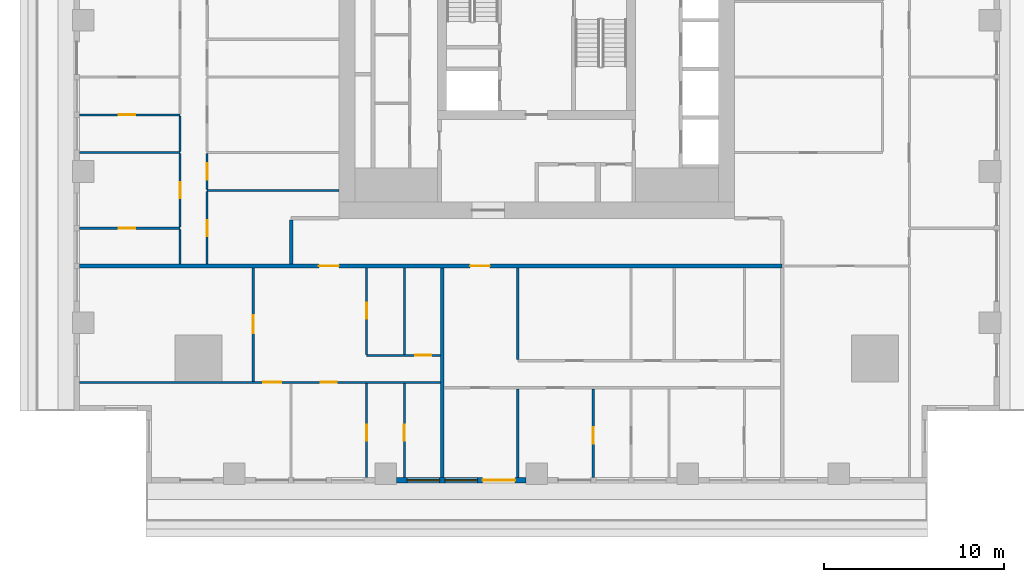
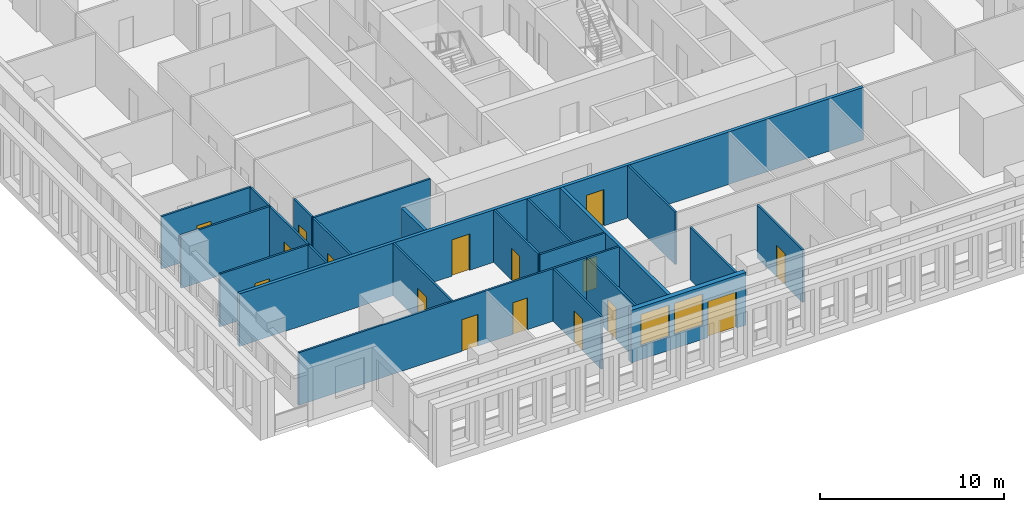
# One storey, part 2 of 15: 23 walls, 16 doors, 2 windows, 18 openings.
"""IFC4 building model written with IfcOpenShell, lengths in metres."""

from ifc_helpers import new_model, si_unit, direction, frame, frame_2d, origin, place, context, subcontext, project, spatial, rectangle, extrude, material, layer, layer_set, type_object, element, fill, save


model = new_model("IFC4")

# Units and contexts
model_context = context("Model", 3, precision=1e-05, world=origin(), true_north=direction((0.0, 1.0)))
body_context = subcontext(model_context, "Body", "Model", "MODEL_VIEW")
ifc_project = project(units=[si_unit("LENGTHUNIT", "METRE"), si_unit("AREAUNIT", "SQUARE_METRE"), si_unit("VOLUMEUNIT", "CUBIC_METRE"), si_unit("PLANEANGLEUNIT", "RADIAN"), si_unit("MASSUNIT", "GRAM", prefix="KILO")], contexts=[model_context])

# Site, building, storey
site_placement = place(None, origin())
site = spatial("IfcSite", under=ifc_project, at=site_placement, CompositionType="ELEMENT")
building_placement = place(site_placement, origin())
building = spatial("IfcBuilding", under=site, at=building_placement, Name="Khepri Terraces", CompositionType="ELEMENT")
storey_placement = place(building_placement, frame((0.0, 0.0, 165.0)))
storey = spatial("IfcBuildingStorey", under=building, at=storey_placement, Name="L39", CompositionType="ELEMENT", Elevation=165.0)

# Wall
ifc_material_1 = material(Name="Fire-rated gypsum plasterboard partition, mineral wool")
ifc_layer_1 = layer(ifc_material_1, 0.199951171875, Name="Fire-rated gypsum plasterboard partition, mineral wool")
ifc_layer_set_1 = layer_set([ifc_layer_1], Name="Fire-rated gypsum plasterboard partition, mineral wool")
wall_type_1 = type_object("IfcWallType", Name="WL-CORR-200", PredefinedType="PARTITIONING", material=ifc_layer_set_1)
wall_1_placement = place(storey_placement, frame((-5.25, -25.419921875, 0.0), z_axis=(0.0, 0.0, 1.0), x_axis=(0.0, 1.0, 0.0)))
element("IfcWall", 1, at=wall_1_placement, inside=storey, type_object=wall_type_1, Name="Partition P-004 L39", PredefinedType="PARTITIONING", context=body_context, shape_type="SweptSolid", body=[
    extrude(rectangle(XDim=11.669921875, YDim=0.199951171875, at=frame_2d((5.8349609375, 0.0))), origin(), (0.0, 0.0, 1.0), 3.47998046875),
])

# Wall, openings, doors
wall_2_placement = place(storey_placement, frame((-25.419921875, -13.64990234375, 0.0), z_axis=(0.0, 0.0, 1.0), x_axis=(1.0, 0.0, 0.0)))
wall_2 = element("IfcWall", 2, at=wall_2_placement, inside=storey, type_object=wall_type_1, Name="Partition P-023 L39", PredefinedType="PARTITIONING", context=body_context, shape_type="SweptSolid", body=[
    extrude(rectangle(XDim=39.06982421875, YDim=0.199951171875, at=frame_2d((19.534912109375, 0.0))), origin(), (0.0, 0.0, 1.0), 3.47998046875),
])
opening_1_placement = place(wall_2_placement, frame((13.320068359375, 0.0, 0.0)))
opening_1 = element("IfcOpeningElement", 3, at=opening_1_placement, cuts=wall_2, Name="Opening D1", PredefinedType="OPENING", context=body_context, shape_type="SweptSolid", body=[
    extrude(rectangle(XDim=1.10009765625, YDim=2.39990234375, at=frame_2d((0.550048828125, 1.199951171875))), frame((0.0, 0.10986328125, 0.0), z_axis=(0.0, -1.0, 0.0), x_axis=(1.0, 0.0, 0.0)), (0.0, 0.0, 1.0), 0.219970703125),
])
opening_2_placement = place(wall_2_placement, frame((21.719970703125, 0.0, 0.0)))
opening_2 = element("IfcOpeningElement", 4, at=opening_2_placement, cuts=wall_2, Name="Opening D1", PredefinedType="OPENING", context=body_context, shape_type="SweptSolid", body=[
    extrude(rectangle(XDim=1.10009765625, YDim=2.39990234375, at=frame_2d((0.550048828125, 1.199951171875))), frame((0.0, 0.10986328125, 0.0), z_axis=(0.0, -1.0, 0.0), x_axis=(1.0, 0.0, 0.0)), (0.0, 0.0, 1.0), 0.219970703125),
])
ifc_material_2 = material(Name="Solid-core timber door leaf, flat entrance door", Category="wood")
door_type_1 = type_object("IfcDoorType", Name="DR-ENT-1100", OperationType="NOTDEFINED", PredefinedType="DOOR", material=ifc_material_2)
door_1_placement = place(opening_1_placement, frame((1.10009765625, 0.0, 0.0), z_axis=(0.0, 0.0, 1.0), x_axis=(-1.0, 0.0, 0.0)))
door_1 = element("IfcDoor", 5, at=door_1_placement, inside=storey, type_object=door_type_1, Name="Flat A1 entrance door", OperationType="SINGLE_SWING_RIGHT", OverallHeight=2.39990234375, OverallWidth=1.10009765625, PredefinedType="DOOR", context=body_context, shape_type="SweptSolid", body=[
    extrude(rectangle(XDim=1.10009765625, YDim=2.39990234375, at=frame_2d((0.550048828125, 1.199951171875))), frame((0.0, 0.02490234375, 0.0), z_axis=(0.0, -1.0, 0.0), x_axis=(1.0, 0.0, 0.0)), (0.0, 0.0, 1.0), 0.050048828125),
])
fill(opening_1, door_1)
door_2_placement = place(opening_2_placement, frame((1.10009765625, 0.0, 0.0), z_axis=(0.0, 0.0, 1.0), x_axis=(-1.0, 0.0, 0.0)))
door_2 = element("IfcDoor", 6, at=door_2_placement, inside=storey, type_object=door_type_1, Name="Flat A2 entrance door", OperationType="SINGLE_SWING_LEFT", OverallHeight=2.39990234375, OverallWidth=1.10009765625, PredefinedType="DOOR", context=body_context, shape_type="SweptSolid", body=[
    extrude(rectangle(XDim=1.10009765625, YDim=2.39990234375, at=frame_2d((0.550048828125, 1.199951171875))), frame((0.0, 0.02490234375, 0.0), z_axis=(0.0, -1.0, 0.0), x_axis=(1.0, 0.0, 0.0)), (0.0, 0.0, 1.0), 0.050048828125),
])
fill(opening_2, door_2)

# Wall
wall_3_placement = place(storey_placement, frame((-13.64990234375, -13.550048828125, 0.0), z_axis=(0.0, 0.0, 1.0), x_axis=(0.0, 1.0, 0.0)))
element("IfcWall", 7, at=wall_3_placement, inside=storey, type_object=wall_type_1, Name="Partition P-028 L39", PredefinedType="PARTITIONING", context=body_context, shape_type="SweptSolid", body=[
    extrude(rectangle(XDim=2.449951171875, YDim=0.199951171875, at=frame_2d((1.22509765625, 0.0))), origin(), (0.0, 0.0, 1.0), 3.47998046875),
])

# Wall, openings, door, windows
ifc_material_3 = material(Name="Precast concrete C50/60 warm stone", Category="masonry")
ifc_layer_2 = layer(ifc_material_3, 0.300048828125, Name="Precast concrete C50/60 warm stone", Category="masonry")
ifc_layer_set_2 = layer_set([ifc_layer_2], Name="Precast concrete C50/60 warm stone")
wall_type_2 = type_object("IfcWallType", Name="WL-EXT-PRECAST-300", PredefinedType="STANDARD", material=ifc_layer_set_2)
wall_4_placement = place(storey_placement, frame((-7.800048828125, -25.570068359375, 0.0), z_axis=(0.0, 0.0, 1.0), x_axis=(1.0, 0.0, 0.0)))
wall_4 = element("IfcWall", 8, at=wall_4_placement, inside=storey, type_object=wall_type_2, Name="External wall L39 S", PredefinedType="STANDARD", context=body_context, shape_type="SweptSolid", body=[
    extrude(rectangle(XDim=7.199951171875, YDim=0.300048828125, at=frame_2d((3.60009765625, 0.0))), origin(), (0.0, 0.0, 1.0), 3.47998046875),
])
opening_3_placement = place(wall_4_placement, frame((0.60009765625, 0.0, 0.89990234375)))
opening_3 = element("IfcOpeningElement", 9, at=opening_3_placement, cuts=wall_4, Name="Opening W1", PredefinedType="OPENING", context=body_context, shape_type="SweptSolid", body=[
    extrude(rectangle(XDim=1.800048828125, YDim=2.10009765625, at=frame_2d((0.89990234375, 1.050048828125))), frame((0.0, 0.16015625, 0.0), z_axis=(0.0, -1.0, 0.0), x_axis=(1.0, 0.0, 0.0)), (0.0, 0.0, 1.0), 0.320068359375),
])
opening_4_placement = place(wall_4_placement, frame((2.699951171875, 0.0, 0.89990234375)))
opening_4 = element("IfcOpeningElement", 10, at=opening_4_placement, cuts=wall_4, Name="Opening W1", PredefinedType="OPENING", context=body_context, shape_type="SweptSolid", body=[
    extrude(rectangle(XDim=1.800048828125, YDim=2.10009765625, at=frame_2d((0.89990234375, 1.050048828125))), frame((0.0, 0.16015625, 0.0), z_axis=(0.0, -1.0, 0.0), x_axis=(1.0, 0.0, 0.0)), (0.0, 0.0, 1.0), 0.320068359375),
])
opening_5_placement = place(wall_4_placement, frame((4.800048828125, 0.0, 0.0)))
opening_5 = element("IfcOpeningElement", 11, at=opening_5_placement, cuts=wall_4, Name="Opening ED-L39-22", PredefinedType="OPENING", context=body_context, shape_type="SweptSolid", body=[
    extrude(rectangle(XDim=1.800048828125, YDim=2.39990234375, at=frame_2d((0.89990234375, 1.199951171875))), frame((0.0, 0.16015625, 0.0), z_axis=(0.0, -1.0, 0.0), x_axis=(1.0, 0.0, 0.0)), (0.0, 0.0, 1.0), 0.320068359375),
])
ifc_material_4 = material(Name="Anodised aluminium bronze glazed door", Category="aluminium")
door_type_2 = type_object("IfcDoorType", Name="DR-BAL-SLIDE-1800x2400", OperationType="NOTDEFINED", PredefinedType="DOOR", material=ifc_material_4)
door_3_placement = place(opening_5_placement, origin())
door_3 = element("IfcDoor", 12, at=door_3_placement, inside=storey, type_object=door_type_2, Name="Balcony door L39 S", OperationType="SLIDING_TO_RIGHT", OverallHeight=2.39990234375, OverallWidth=1.800048828125, PredefinedType="DOOR", context=body_context, shape_type="SweptSolid", body=[
    extrude(rectangle(XDim=1.800048828125, YDim=2.39990234375, at=frame_2d((0.89990234375, 1.199951171875))), frame((0.0, 0.02490234375, 0.0), z_axis=(0.0, -1.0, 0.0), x_axis=(1.0, 0.0, 0.0)), (0.0, 0.0, 1.0), 0.050048828125),
])
fill(opening_5, door_3)
ifc_material_5 = material(Name="Clear glass", Category="glass")
window_type = type_object("IfcWindowType", Name="WIN-RES-1800x2100", PartitioningType="SINGLE_PANEL", PredefinedType="WINDOW", material=ifc_material_5)
window_1_placement = place(opening_3_placement, origin())
window_1 = element("IfcWindow", 13, at=window_1_placement, inside=storey, type_object=window_type, Name="Window L39 S", OverallHeight=2.10009765625, OverallWidth=1.800048828125, PartitioningType="SINGLE_PANEL", PredefinedType="WINDOW", context=body_context, shape_type="SweptSolid", body=[
    extrude(rectangle(XDim=1.800048828125, YDim=2.10009765625, at=frame_2d((0.89990234375, 1.050048828125))), frame((0.0, 0.030029296875, 0.0), z_axis=(0.0, -1.0, 0.0), x_axis=(1.0, 0.0, 0.0)), (0.0, 0.0, 1.0), 0.06005859375),
])
fill(opening_3, window_1)
window_2_placement = place(opening_4_placement, origin())
window_2 = element("IfcWindow", 14, at=window_2_placement, inside=storey, type_object=window_type, Name="Window L39 S", OverallHeight=2.10009765625, OverallWidth=1.800048828125, PartitioningType="SINGLE_PANEL", PredefinedType="WINDOW", context=body_context, shape_type="SweptSolid", body=[
    extrude(rectangle(XDim=1.800048828125, YDim=2.10009765625, at=frame_2d((0.89990234375, 1.050048828125))), frame((0.0, 0.030029296875, 0.0), z_axis=(0.0, -1.0, 0.0), x_axis=(1.0, 0.0, 0.0)), (0.0, 0.0, 1.0), 0.06005859375),
])
fill(opening_4, window_2)

# Wall, opening, door
ifc_material_6 = material(Name="Gypsum plasterboard partition")
ifc_layer_3 = layer(ifc_material_6, 0.1201171875, Name="Gypsum plasterboard partition")
ifc_layer_set_3 = layer_set([ifc_layer_3], Name="Gypsum plasterboard partition")
wall_type_3 = type_object("IfcWallType", Name="WL-PART-120", PredefinedType="PARTITIONING", material=ifc_layer_set_3)
wall_5_placement = place(storey_placement, frame((-9.449951171875, -25.419921875, 0.0), z_axis=(0.0, 0.0, 1.0), x_axis=(0.0, 1.0, 0.0)))
wall_5 = element("IfcWall", 15, at=wall_5_placement, inside=storey, type_object=wall_type_3, Name="Partition P-002 L39", PredefinedType="PARTITIONING", context=body_context, shape_type="SweptSolid", body=[
    extrude(rectangle(XDim=5.239990234375, YDim=0.1201171875, at=frame_2d((2.6201171875, 0.0))), origin(), (0.0, 0.0, 1.0), 3.47998046875),
])
opening_6_placement = place(wall_5_placement, frame((2.050048828125, 0.0, 0.0)))
opening_6 = element("IfcOpeningElement", 16, at=opening_6_placement, cuts=wall_5, Name="Opening D3", PredefinedType="OPENING", context=body_context, shape_type="SweptSolid", body=[
    extrude(rectangle(XDim=0.89990234375, YDim=2.10009765625, at=frame_2d((0.449951171875, 1.050048828125))), frame((0.0, 0.070068359375, 0.0), z_axis=(0.0, -1.0, 0.0), x_axis=(1.0, 0.0, 0.0)), (0.0, 0.0, 1.0), 0.14013671875),
])
ifc_material_7 = material(Name="Timber door leaf", Category="wood")
door_type_3 = type_object("IfcDoorType", Name="DR-INT-900", OperationType="NOTDEFINED", PredefinedType="DOOR", material=ifc_material_7)
door_4_placement = place(opening_6_placement, frame((0.89990234375, 0.0, 0.0), z_axis=(0.0, 0.0, 1.0), x_axis=(-1.0, 0.0, 0.0)))
door_4 = element("IfcDoor", 17, at=door_4_placement, inside=storey, type_object=door_type_3, Name="Door Dressing Room", OperationType="SINGLE_SWING_RIGHT", OverallHeight=2.10009765625, OverallWidth=0.89990234375, PredefinedType="DOOR", context=body_context, shape_type="SweptSolid", body=[
    extrude(rectangle(XDim=0.89990234375, YDim=2.10009765625, at=frame_2d((0.449951171875, 1.050048828125))), frame((0.0, 0.02490234375, 0.0), z_axis=(0.0, -1.0, 0.0), x_axis=(1.0, 0.0, 0.0)), (0.0, 0.0, 1.0), 0.050048828125),
])
fill(opening_6, door_4)

wall_6_placement = place(storey_placement, frame((-7.35009765625, -25.419921875, 0.0), z_axis=(0.0, 0.0, 1.0), x_axis=(0.0, 1.0, 0.0)))
wall_6 = element("IfcWall", 18, at=wall_6_placement, inside=storey, type_object=wall_type_3, Name="Partition P-003 L39", PredefinedType="PARTITIONING", context=body_context, shape_type="SweptSolid", body=[
    extrude(rectangle(XDim=5.239990234375, YDim=0.1201171875, at=frame_2d((2.6201171875, 0.0))), origin(), (0.0, 0.0, 1.0), 3.47998046875),
])
opening_7_placement = place(wall_6_placement, frame((2.050048828125, 0.0, 0.0)))
opening_7 = element("IfcOpeningElement", 19, at=opening_7_placement, cuts=wall_6, Name="Opening D4", PredefinedType="OPENING", context=body_context, shape_type="SweptSolid", body=[
    extrude(rectangle(XDim=0.89990234375, YDim=2.10009765625, at=frame_2d((0.449951171875, 1.050048828125))), frame((0.0, 0.070068359375, 0.0), z_axis=(0.0, -1.0, 0.0), x_axis=(1.0, 0.0, 0.0)), (0.0, 0.0, 1.0), 0.14013671875),
])
ifc_material_8 = material(Name="Timber door leaf, moisture resistant", Category="wood")
door_type_4 = type_object("IfcDoorType", Name="DR-WET-900", OperationType="NOTDEFINED", PredefinedType="DOOR", material=ifc_material_8)
door_5_placement = place(opening_7_placement, frame((0.89990234375, 0.0, 0.0), z_axis=(0.0, 0.0, 1.0), x_axis=(-1.0, 0.0, 0.0)))
door_5 = element("IfcDoor", 20, at=door_5_placement, inside=storey, type_object=door_type_4, Name="Door Bathroom", OperationType="SINGLE_SWING_RIGHT", OverallHeight=2.10009765625, OverallWidth=0.89990234375, PredefinedType="DOOR", context=body_context, shape_type="SweptSolid", body=[
    extrude(rectangle(XDim=0.89990234375, YDim=2.10009765625, at=frame_2d((0.449951171875, 1.050048828125))), frame((0.0, 0.02490234375, 0.0), z_axis=(0.0, -1.0, 0.0), x_axis=(1.0, 0.0, 0.0)), (0.0, 0.0, 1.0), 0.050048828125),
])
fill(opening_7, door_5)

# Wall
wall_7_placement = place(storey_placement, frame((-1.050048828125, -25.419921875, 0.0), z_axis=(0.0, 0.0, 1.0), x_axis=(0.0, 1.0, 0.0)))
element("IfcWall", 21, at=wall_7_placement, inside=storey, type_object=wall_type_3, Name="Partition P-005 L39", PredefinedType="PARTITIONING", context=body_context, shape_type="SweptSolid", body=[
    extrude(rectangle(XDim=4.93994140625, YDim=0.1201171875, at=frame_2d((2.469970703125, 0.0))), origin(), (0.0, 0.0, 1.0), 3.47998046875),
])

# Wall, opening, door
wall_8_placement = place(storey_placement, frame((3.14990234375, -25.419921875, 0.0), z_axis=(0.0, 0.0, 1.0), x_axis=(0.0, 1.0, 0.0)))
wall_8 = element("IfcWall", 22, at=wall_8_placement, inside=storey, type_object=wall_type_3, Name="Partition P-006 L39", PredefinedType="PARTITIONING", context=body_context, shape_type="SweptSolid", body=[
    extrude(rectangle(XDim=4.93994140625, YDim=0.1201171875, at=frame_2d((2.469970703125, 0.0))), origin(), (0.0, 0.0, 1.0), 3.47998046875),
])
opening_8_placement = place(wall_8_placement, frame((1.89990234375, 0.0, 0.0)))
opening_8 = element("IfcOpeningElement", 23, at=opening_8_placement, cuts=wall_8, Name="Opening D3", PredefinedType="OPENING", context=body_context, shape_type="SweptSolid", body=[
    extrude(rectangle(XDim=0.89990234375, YDim=2.10009765625, at=frame_2d((0.449951171875, 1.050048828125))), frame((0.0, 0.070068359375, 0.0), z_axis=(0.0, -1.0, 0.0), x_axis=(1.0, 0.0, 0.0)), (0.0, 0.0, 1.0), 0.14013671875),
])
door_6_placement = place(opening_8_placement, frame((0.89990234375, 0.0, 0.0), z_axis=(0.0, 0.0, 1.0), x_axis=(-1.0, 0.0, 0.0)))
door_6 = element("IfcDoor", 24, at=door_6_placement, inside=storey, type_object=door_type_3, Name="Door Dressing Room", OperationType="SINGLE_SWING_RIGHT", OverallHeight=2.10009765625, OverallWidth=0.89990234375, PredefinedType="DOOR", context=body_context, shape_type="SweptSolid", body=[
    extrude(rectangle(XDim=0.89990234375, YDim=2.10009765625, at=frame_2d((0.449951171875, 1.050048828125))), frame((0.0, 0.02490234375, 0.0), z_axis=(0.0, -1.0, 0.0), x_axis=(1.0, 0.0, 0.0)), (0.0, 0.0, 1.0), 0.050048828125),
])
fill(opening_8, door_6)

# Wall, openings, doors
wall_9_placement = place(storey_placement, frame((-25.419921875, -20.1201171875, 0.0), z_axis=(0.0, 0.0, 1.0), x_axis=(1.0, 0.0, 0.0)))
wall_9 = element("IfcWall", 25, at=wall_9_placement, inside=storey, type_object=wall_type_3, Name="Partition P-013 L39", PredefinedType="PARTITIONING", context=body_context, shape_type="SweptSolid", body=[
    extrude(rectangle(XDim=20.06982421875, YDim=0.1201171875, at=frame_2d((10.034912109375, 0.0))), origin(), (0.0, 0.0, 1.0), 3.47998046875),
])
opening_9_placement = place(wall_9_placement, frame((10.219970703125, 0.0, 0.0)))
opening_9 = element("IfcOpeningElement", 26, at=opening_9_placement, cuts=wall_9, Name="Opening D2", PredefinedType="OPENING", context=body_context, shape_type="SweptSolid", body=[
    extrude(rectangle(XDim=1.0, YDim=2.10009765625, at=frame_2d((0.5, 1.050048828125))), frame((0.0, 0.070068359375, 0.0), z_axis=(0.0, -1.0, 0.0), x_axis=(1.0, 0.0, 0.0)), (0.0, 0.0, 1.0), 0.14013671875),
])
opening_10_placement = place(wall_9_placement, frame((13.419921875, 0.0, 0.0)))
opening_10 = element("IfcOpeningElement", 27, at=opening_10_placement, cuts=wall_9, Name="Opening D3", PredefinedType="OPENING", context=body_context, shape_type="SweptSolid", body=[
    extrude(rectangle(XDim=0.89990234375, YDim=2.10009765625, at=frame_2d((0.449951171875, 1.050048828125))), frame((0.0, 0.070068359375, 0.0), z_axis=(0.0, -1.0, 0.0), x_axis=(1.0, 0.0, 0.0)), (0.0, 0.0, 1.0), 0.14013671875),
])
ifc_material_9 = material(Name="Timber door leaf, living room door", Category="wood")
door_type_5 = type_object("IfcDoorType", Name="DR-INT-1000", OperationType="NOTDEFINED", PredefinedType="DOOR", material=ifc_material_9)
door_7_placement = place(opening_9_placement, frame((1.0, 0.0, 0.0), z_axis=(0.0, 0.0, 1.0), x_axis=(-1.0, 0.0, 0.0)))
door_7 = element("IfcDoor", 28, at=door_7_placement, inside=storey, type_object=door_type_5, Name="Door Living Room", OperationType="SINGLE_SWING_LEFT", OverallHeight=2.10009765625, OverallWidth=1.0, PredefinedType="DOOR", context=body_context, shape_type="SweptSolid", body=[
    extrude(rectangle(XDim=1.0, YDim=2.10009765625, at=frame_2d((0.5, 1.050048828125))), frame((0.0, 0.02490234375, 0.0), z_axis=(0.0, -1.0, 0.0), x_axis=(1.0, 0.0, 0.0)), (0.0, 0.0, 1.0), 0.050048828125),
])
fill(opening_9, door_7)
door_8_placement = place(opening_10_placement, frame((0.89990234375, 0.0, 0.0), z_axis=(0.0, 0.0, 1.0), x_axis=(-1.0, 0.0, 0.0)))
door_8 = element("IfcDoor", 29, at=door_8_placement, inside=storey, type_object=door_type_3, Name="Door Master Bedroom", OperationType="SINGLE_SWING_LEFT", OverallHeight=2.10009765625, OverallWidth=0.89990234375, PredefinedType="DOOR", context=body_context, shape_type="SweptSolid", body=[
    extrude(rectangle(XDim=0.89990234375, YDim=2.10009765625, at=frame_2d((0.449951171875, 1.050048828125))), frame((0.0, 0.02490234375, 0.0), z_axis=(0.0, -1.0, 0.0), x_axis=(1.0, 0.0, 0.0)), (0.0, 0.0, 1.0), 0.050048828125),
])
fill(opening_10, door_8)

# Wall, opening, door
wall_10_placement = place(storey_placement, frame((-15.75, -20.06005859375, 0.0), z_axis=(0.0, 0.0, 1.0), x_axis=(0.0, 1.0, 0.0)))
wall_10 = element("IfcWall", 30, at=wall_10_placement, inside=storey, type_object=wall_type_3, Name="Partition P-014 L39", PredefinedType="PARTITIONING", context=body_context, shape_type="SweptSolid", body=[
    extrude(rectangle(XDim=6.31005859375, YDim=0.1201171875, at=frame_2d((3.155029296875, 0.0))), origin(), (0.0, 0.0, 1.0), 3.47998046875),
])
opening_11_placement = place(wall_10_placement, frame((2.675048828125, 0.0, 0.0)))
opening_11 = element("IfcOpeningElement", 31, at=opening_11_placement, cuts=wall_10, Name="Opening D2", PredefinedType="OPENING", context=body_context, shape_type="SweptSolid", body=[
    extrude(rectangle(XDim=1.0, YDim=2.10009765625, at=frame_2d((0.5, 1.050048828125))), frame((0.0, 0.070068359375, 0.0), z_axis=(0.0, -1.0, 0.0), x_axis=(1.0, 0.0, 0.0)), (0.0, 0.0, 1.0), 0.14013671875),
])
door_9_placement = place(opening_11_placement, origin())
door_9 = element("IfcDoor", 32, at=door_9_placement, inside=storey, type_object=door_type_5, Name="Door Family Room", OperationType="SINGLE_SWING_RIGHT", OverallHeight=2.10009765625, OverallWidth=1.0, PredefinedType="DOOR", context=body_context, shape_type="SweptSolid", body=[
    extrude(rectangle(XDim=1.0, YDim=2.10009765625, at=frame_2d((0.5, 1.050048828125))), frame((0.0, 0.02490234375, 0.0), z_axis=(0.0, -1.0, 0.0), x_axis=(1.0, 0.0, 0.0)), (0.0, 0.0, 1.0), 0.050048828125),
])
fill(opening_11, door_9)

# Wall
wall_11_placement = place(storey_placement, frame((-1.050048828125, -18.860107421875, 0.0), z_axis=(0.0, 0.0, 1.0), x_axis=(0.0, 1.0, 0.0)))
element("IfcWall", 33, at=wall_11_placement, inside=storey, type_object=wall_type_3, Name="Partition P-016 L39", PredefinedType="PARTITIONING", context=body_context, shape_type="SweptSolid", body=[
    extrude(rectangle(XDim=5.110107421875, YDim=0.1201171875, at=frame_2d((2.55517578125, 0.0))), origin(), (0.0, 0.0, 1.0), 3.47998046875),
])

# Wall, opening, door
wall_12_placement = place(storey_placement, frame((-9.449951171875, -18.6201171875, 0.0), z_axis=(0.0, 0.0, 1.0), x_axis=(1.0, 0.0, 0.0)))
wall_12 = element("IfcWall", 34, at=wall_12_placement, inside=storey, type_object=wall_type_3, Name="Partition P-020 L39", PredefinedType="PARTITIONING", context=body_context, shape_type="SweptSolid", body=[
    extrude(rectangle(XDim=4.099853515625, YDim=0.1201171875, at=frame_2d((2.0498046875, 0.0))), origin(), (0.0, 0.0, 1.0), 3.47998046875),
])
opening_12_placement = place(wall_12_placement, frame((2.699951171875, 0.0, 0.0)))
opening_12 = element("IfcOpeningElement", 35, at=opening_12_placement, cuts=wall_12, Name="Opening D3", PredefinedType="OPENING", context=body_context, shape_type="SweptSolid", body=[
    extrude(rectangle(XDim=0.89990234375, YDim=2.10009765625, at=frame_2d((0.449951171875, 1.050048828125))), frame((0.0, 0.070068359375, 0.0), z_axis=(0.0, -1.0, 0.0), x_axis=(1.0, 0.0, 0.0)), (0.0, 0.0, 1.0), 0.14013671875),
])
door_10_placement = place(opening_12_placement, origin())
door_10 = element("IfcDoor", 36, at=door_10_placement, inside=storey, type_object=door_type_3, Name="Door Kitchen", OperationType="SINGLE_SWING_RIGHT", OverallHeight=2.10009765625, OverallWidth=0.89990234375, PredefinedType="DOOR", context=body_context, shape_type="SweptSolid", body=[
    extrude(rectangle(XDim=0.89990234375, YDim=2.10009765625, at=frame_2d((0.449951171875, 1.050048828125))), frame((0.0, 0.02490234375, 0.0), z_axis=(0.0, -1.0, 0.0), x_axis=(1.0, 0.0, 0.0)), (0.0, 0.0, 1.0), 0.050048828125),
])
fill(opening_12, door_10)

wall_13_placement = place(storey_placement, frame((-9.449951171875, -18.56005859375, 0.0), z_axis=(0.0, 0.0, 1.0), x_axis=(0.0, 1.0, 0.0)))
wall_13 = element("IfcWall", 37, at=wall_13_placement, inside=storey, type_object=wall_type_3, Name="Partition P-021 L39", PredefinedType="PARTITIONING", context=body_context, shape_type="SweptSolid", body=[
    extrude(rectangle(XDim=4.81005859375, YDim=0.1201171875, at=frame_2d((2.405029296875, 0.0))), origin(), (0.0, 0.0, 1.0), 3.47998046875),
])
opening_13_placement = place(wall_13_placement, frame((1.97509765625, 0.0, 0.0)))
opening_13 = element("IfcOpeningElement", 38, at=opening_13_placement, cuts=wall_13, Name="Opening D4", PredefinedType="OPENING", context=body_context, shape_type="SweptSolid", body=[
    extrude(rectangle(XDim=0.89990234375, YDim=2.10009765625, at=frame_2d((0.449951171875, 1.050048828125))), frame((0.0, 0.070068359375, 0.0), z_axis=(0.0, -1.0, 0.0), x_axis=(1.0, 0.0, 0.0)), (0.0, 0.0, 1.0), 0.14013671875),
])
door_11_placement = place(opening_13_placement, frame((0.89990234375, 0.0, 0.0), z_axis=(0.0, 0.0, 1.0), x_axis=(-1.0, 0.0, 0.0)))
door_11 = element("IfcDoor", 39, at=door_11_placement, inside=storey, type_object=door_type_4, Name="Door Guest Bathroom", OperationType="SINGLE_SWING_LEFT", OverallHeight=2.10009765625, OverallWidth=0.89990234375, PredefinedType="DOOR", context=body_context, shape_type="SweptSolid", body=[
    extrude(rectangle(XDim=0.89990234375, YDim=2.10009765625, at=frame_2d((0.449951171875, 1.050048828125))), frame((0.0, 0.02490234375, 0.0), z_axis=(0.0, -1.0, 0.0), x_axis=(1.0, 0.0, 0.0)), (0.0, 0.0, 1.0), 0.050048828125),
])
fill(opening_13, door_11)

# Walls
wall_14_placement = place(storey_placement, frame((-7.35009765625, -18.56005859375, 0.0), z_axis=(0.0, 0.0, 1.0), x_axis=(0.0, 1.0, 0.0)))
element("IfcWall", 40, at=wall_14_placement, inside=storey, type_object=wall_type_3, Name="Partition P-022 L39", PredefinedType="PARTITIONING", context=body_context, shape_type="SweptSolid", body=[
    extrude(rectangle(XDim=4.81005859375, YDim=0.1201171875, at=frame_2d((2.405029296875, 0.0))), origin(), (0.0, 0.0, 1.0), 3.47998046875),
])
wall_15_placement = place(storey_placement, frame((-19.820068359375, -13.550048828125, 0.0), z_axis=(0.0, 0.0, 1.0), x_axis=(0.0, 1.0, 0.0)))
element("IfcWall", 41, at=wall_15_placement, inside=storey, type_object=wall_type_3, Name="Partition P-026 L39", PredefinedType="PARTITIONING", context=body_context, shape_type="SweptSolid", body=[
    extrude(rectangle(XDim=1.93994140625, YDim=0.1201171875, at=frame_2d((0.969970703125, 0.0))), origin(), (0.0, 0.0, 1.0), 3.47998046875),
])

# Wall, opening, door
wall_16_placement = place(storey_placement, frame((-18.320068359375, -13.550048828125, 0.0), z_axis=(0.0, 0.0, 1.0), x_axis=(0.0, 1.0, 0.0)))
wall_16 = element("IfcWall", 42, at=wall_16_placement, inside=storey, type_object=wall_type_3, Name="Partition P-027 L39", PredefinedType="PARTITIONING", context=body_context, shape_type="SweptSolid", body=[
    extrude(rectangle(XDim=4.0400390625, YDim=0.1201171875, at=frame_2d((2.02001953125, 0.0))), origin(), (0.0, 0.0, 1.0), 3.47998046875),
])
opening_14_placement = place(wall_16_placement, frame((1.550048828125, 0.0, 0.0)))
opening_14 = element("IfcOpeningElement", 43, at=opening_14_placement, cuts=wall_16, Name="Opening D3", PredefinedType="OPENING", context=body_context, shape_type="SweptSolid", body=[
    extrude(rectangle(XDim=0.89990234375, YDim=2.10009765625, at=frame_2d((0.449951171875, 1.050048828125))), frame((0.0, 0.070068359375, 0.0), z_axis=(0.0, -1.0, 0.0), x_axis=(1.0, 0.0, 0.0)), (0.0, 0.0, 1.0), 0.14013671875),
])
door_12_placement = place(opening_14_placement, frame((0.89990234375, 0.0, 0.0), z_axis=(0.0, 0.0, 1.0), x_axis=(-1.0, 0.0, 0.0)))
door_12 = element("IfcDoor", 44, at=door_12_placement, inside=storey, type_object=door_type_3, Name="Door Utility Room", OperationType="SINGLE_SWING_RIGHT", OverallHeight=2.10009765625, OverallWidth=0.89990234375, PredefinedType="DOOR", context=body_context, shape_type="SweptSolid", body=[
    extrude(rectangle(XDim=0.89990234375, YDim=2.10009765625, at=frame_2d((0.449951171875, 1.050048828125))), frame((0.0, 0.02490234375, 0.0), z_axis=(0.0, -1.0, 0.0), x_axis=(1.0, 0.0, 0.0)), (0.0, 0.0, 1.0), 0.050048828125),
])
fill(opening_14, door_12)

wall_17_placement = place(storey_placement, frame((-25.419921875, -11.550048828125, 0.0), z_axis=(0.0, 0.0, 1.0), x_axis=(1.0, 0.0, 0.0)))
wall_17 = element("IfcWall", 45, at=wall_17_placement, inside=storey, type_object=wall_type_3, Name="Partition P-030 L39", PredefinedType="PARTITIONING", context=body_context, shape_type="SweptSolid", body=[
    extrude(rectangle(XDim=5.599853515625, YDim=0.1201171875, at=frame_2d((2.7998046875, 0.0))), origin(), (0.0, 0.0, 1.0), 3.47998046875),
])
opening_15_placement = place(wall_17_placement, frame((2.199951171875, 0.0, 0.0)))
opening_15 = element("IfcOpeningElement", 46, at=opening_15_placement, cuts=wall_17, Name="Opening D4", PredefinedType="OPENING", context=body_context, shape_type="SweptSolid", body=[
    extrude(rectangle(XDim=0.89990234375, YDim=2.10009765625, at=frame_2d((0.449951171875, 1.050048828125))), frame((0.0, 0.070068359375, 0.0), z_axis=(0.0, -1.0, 0.0), x_axis=(1.0, 0.0, 0.0)), (0.0, 0.0, 1.0), 0.14013671875),
])
door_13_placement = place(opening_15_placement, frame((0.89990234375, 0.0, 0.0), z_axis=(0.0, 0.0, 1.0), x_axis=(-1.0, 0.0, 0.0)))
door_13 = element("IfcDoor", 47, at=door_13_placement, inside=storey, type_object=door_type_4, Name="Door Bathroom", OperationType="SINGLE_SWING_RIGHT", OverallHeight=2.10009765625, OverallWidth=0.89990234375, PredefinedType="DOOR", context=body_context, shape_type="SweptSolid", body=[
    extrude(rectangle(XDim=0.89990234375, YDim=2.10009765625, at=frame_2d((0.449951171875, 1.050048828125))), frame((0.0, 0.02490234375, 0.0), z_axis=(0.0, -1.0, 0.0), x_axis=(1.0, 0.0, 0.0)), (0.0, 0.0, 1.0), 0.050048828125),
])
fill(opening_15, door_13)

wall_18_placement = place(storey_placement, frame((-19.820068359375, -11.489990234375, 0.0), z_axis=(0.0, 0.0, 1.0), x_axis=(0.0, 1.0, 0.0)))
wall_18 = element("IfcWall", 48, at=wall_18_placement, inside=storey, type_object=wall_type_3, Name="Partition P-032 L39", PredefinedType="PARTITIONING", context=body_context, shape_type="SweptSolid", body=[
    extrude(rectangle(XDim=4.080078125, YDim=0.1201171875, at=frame_2d((2.0400390625, 0.0))), origin(), (0.0, 0.0, 1.0), 3.47998046875),
])
opening_16_placement = place(wall_18_placement, frame((1.590087890625, 0.0, 0.0)))
opening_16 = element("IfcOpeningElement", 49, at=opening_16_placement, cuts=wall_18, Name="Opening D3", PredefinedType="OPENING", context=body_context, shape_type="SweptSolid", body=[
    extrude(rectangle(XDim=0.89990234375, YDim=2.10009765625, at=frame_2d((0.449951171875, 1.050048828125))), frame((0.0, 0.070068359375, 0.0), z_axis=(0.0, -1.0, 0.0), x_axis=(1.0, 0.0, 0.0)), (0.0, 0.0, 1.0), 0.14013671875),
])
door_14_placement = place(opening_16_placement, origin())
door_14 = element("IfcDoor", 50, at=door_14_placement, inside=storey, type_object=door_type_3, Name="Door Bedroom", OperationType="SINGLE_SWING_RIGHT", OverallHeight=2.10009765625, OverallWidth=0.89990234375, PredefinedType="DOOR", context=body_context, shape_type="SweptSolid", body=[
    extrude(rectangle(XDim=0.89990234375, YDim=2.10009765625, at=frame_2d((0.449951171875, 1.050048828125))), frame((0.0, 0.02490234375, 0.0), z_axis=(0.0, -1.0, 0.0), x_axis=(1.0, 0.0, 0.0)), (0.0, 0.0, 1.0), 0.050048828125),
])
fill(opening_16, door_14)

# Wall
wall_19_placement = place(storey_placement, frame((-18.320068359375, -9.449951171875, 0.0), z_axis=(0.0, 0.0, 1.0), x_axis=(1.0, 0.0, 0.0)))
element("IfcWall", 51, at=wall_19_placement, inside=storey, type_object=wall_type_3, Name="Partition P-036 L39", PredefinedType="PARTITIONING", context=body_context, shape_type="SweptSolid", body=[
    extrude(rectangle(XDim=7.320068359375, YDim=0.1201171875, at=frame_2d((3.66015625, 0.0))), origin(), (0.0, 0.0, 1.0), 3.47998046875),
])

# Wall, opening, door
wall_20_placement = place(storey_placement, frame((-18.320068359375, -9.389892578125, 0.0), z_axis=(0.0, 0.0, 1.0), x_axis=(0.0, 1.0, 0.0)))
wall_20 = element("IfcWall", 52, at=wall_20_placement, inside=storey, type_object=wall_type_3, Name="Partition P-037 L39", PredefinedType="PARTITIONING", context=body_context, shape_type="SweptSolid", body=[
    extrude(rectangle(XDim=1.97998046875, YDim=0.1201171875, at=frame_2d((0.989990234375, 0.0))), origin(), (0.0, 0.0, 1.0), 3.47998046875),
])
opening_17_placement = place(wall_20_placement, frame((0.5400390625, 0.0, 0.0)))
opening_17 = element("IfcOpeningElement", 53, at=opening_17_placement, cuts=wall_20, Name="Opening D4", PredefinedType="OPENING", context=body_context, shape_type="SweptSolid", body=[
    extrude(rectangle(XDim=0.89990234375, YDim=2.10009765625, at=frame_2d((0.449951171875, 1.050048828125))), frame((0.0, 0.070068359375, 0.0), z_axis=(0.0, -1.0, 0.0), x_axis=(1.0, 0.0, 0.0)), (0.0, 0.0, 1.0), 0.14013671875),
])
door_15_placement = place(opening_17_placement, frame((0.89990234375, 0.0, 0.0), z_axis=(0.0, 0.0, 1.0), x_axis=(-1.0, 0.0, 0.0)))
door_15 = element("IfcDoor", 54, at=door_15_placement, inside=storey, type_object=door_type_4, Name="Door Guest Bathroom", OperationType="SINGLE_SWING_LEFT", OverallHeight=2.10009765625, OverallWidth=0.89990234375, PredefinedType="DOOR", context=body_context, shape_type="SweptSolid", body=[
    extrude(rectangle(XDim=0.89990234375, YDim=2.10009765625, at=frame_2d((0.449951171875, 1.050048828125))), frame((0.0, 0.02490234375, 0.0), z_axis=(0.0, -1.0, 0.0), x_axis=(1.0, 0.0, 0.0)), (0.0, 0.0, 1.0), 0.050048828125),
])
fill(opening_17, door_15)

# Walls
wall_21_placement = place(storey_placement, frame((-25.419921875, -7.35009765625, 0.0), z_axis=(0.0, 0.0, 1.0), x_axis=(1.0, 0.0, 0.0)))
element("IfcWall", 55, at=wall_21_placement, inside=storey, type_object=wall_type_3, Name="Partition P-038 L39", PredefinedType="PARTITIONING", context=body_context, shape_type="SweptSolid", body=[
    extrude(rectangle(XDim=5.599853515625, YDim=0.1201171875, at=frame_2d((2.7998046875, 0.0))), origin(), (0.0, 0.0, 1.0), 3.47998046875),
])
wall_22_placement = place(storey_placement, frame((-19.820068359375, -7.2900390625, 0.0), z_axis=(0.0, 0.0, 1.0), x_axis=(0.0, 1.0, 0.0)))
element("IfcWall", 56, at=wall_22_placement, inside=storey, type_object=wall_type_3, Name="Partition P-041 L39", PredefinedType="PARTITIONING", context=body_context, shape_type="SweptSolid", body=[
    extrude(rectangle(XDim=1.97998046875, YDim=0.1201171875, at=frame_2d((0.989990234375, 0.0))), origin(), (0.0, 0.0, 1.0), 3.47998046875),
])

# Wall, opening, door
wall_23_placement = place(storey_placement, frame((-25.419921875, -5.25, 0.0), z_axis=(0.0, 0.0, 1.0), x_axis=(1.0, 0.0, 0.0)))
wall_23 = element("IfcWall", 57, at=wall_23_placement, inside=storey, type_object=wall_type_3, Name="Partition P-044 L39", PredefinedType="PARTITIONING", context=body_context, shape_type="SweptSolid", body=[
    extrude(rectangle(XDim=5.599853515625, YDim=0.1201171875, at=frame_2d((2.7998046875, 0.0))), origin(), (0.0, 0.0, 1.0), 3.47998046875),
])
opening_18_placement = place(wall_23_placement, frame((2.199951171875, 0.0, 0.0)))
opening_18 = element("IfcOpeningElement", 58, at=opening_18_placement, cuts=wall_23, Name="Opening D4", PredefinedType="OPENING", context=body_context, shape_type="SweptSolid", body=[
    extrude(rectangle(XDim=0.89990234375, YDim=2.10009765625, at=frame_2d((0.449951171875, 1.050048828125))), frame((0.0, 0.070068359375, 0.0), z_axis=(0.0, -1.0, 0.0), x_axis=(1.0, 0.0, 0.0)), (0.0, 0.0, 1.0), 0.14013671875),
])
door_16_placement = place(opening_18_placement, frame((0.89990234375, 0.0, 0.0), z_axis=(0.0, 0.0, 1.0), x_axis=(-1.0, 0.0, 0.0)))
door_16 = element("IfcDoor", 59, at=door_16_placement, inside=storey, type_object=door_type_4, Name="Door Bathroom", OperationType="SINGLE_SWING_RIGHT", OverallHeight=2.10009765625, OverallWidth=0.89990234375, PredefinedType="DOOR", context=body_context, shape_type="SweptSolid", body=[
    extrude(rectangle(XDim=0.89990234375, YDim=2.10009765625, at=frame_2d((0.449951171875, 1.050048828125))), frame((0.0, 0.02490234375, 0.0), z_axis=(0.0, -1.0, 0.0), x_axis=(1.0, 0.0, 0.0)), (0.0, 0.0, 1.0), 0.050048828125),
])
fill(opening_18, door_16)

save(model, "model.ifc")
